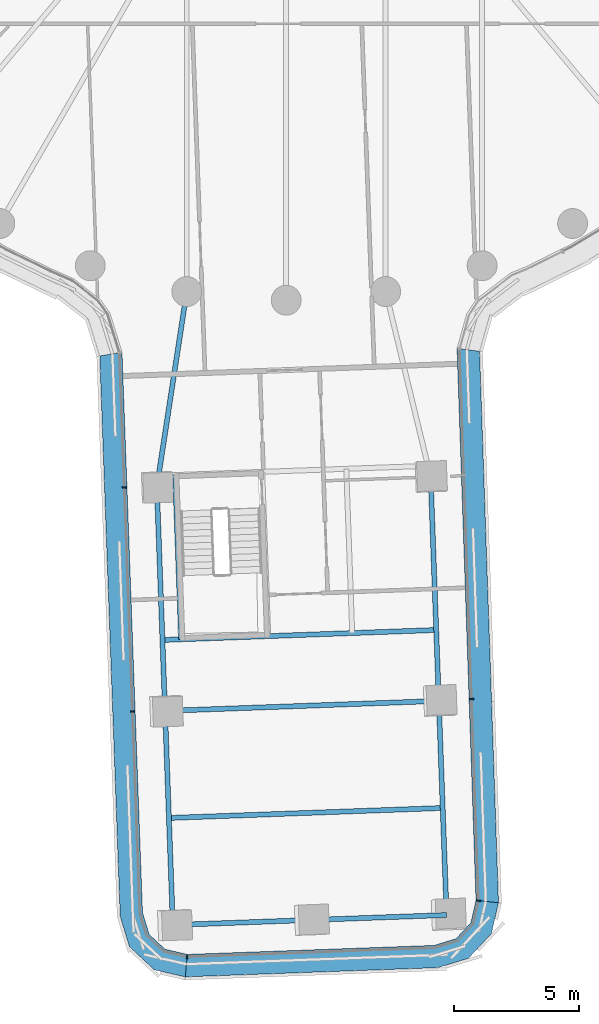
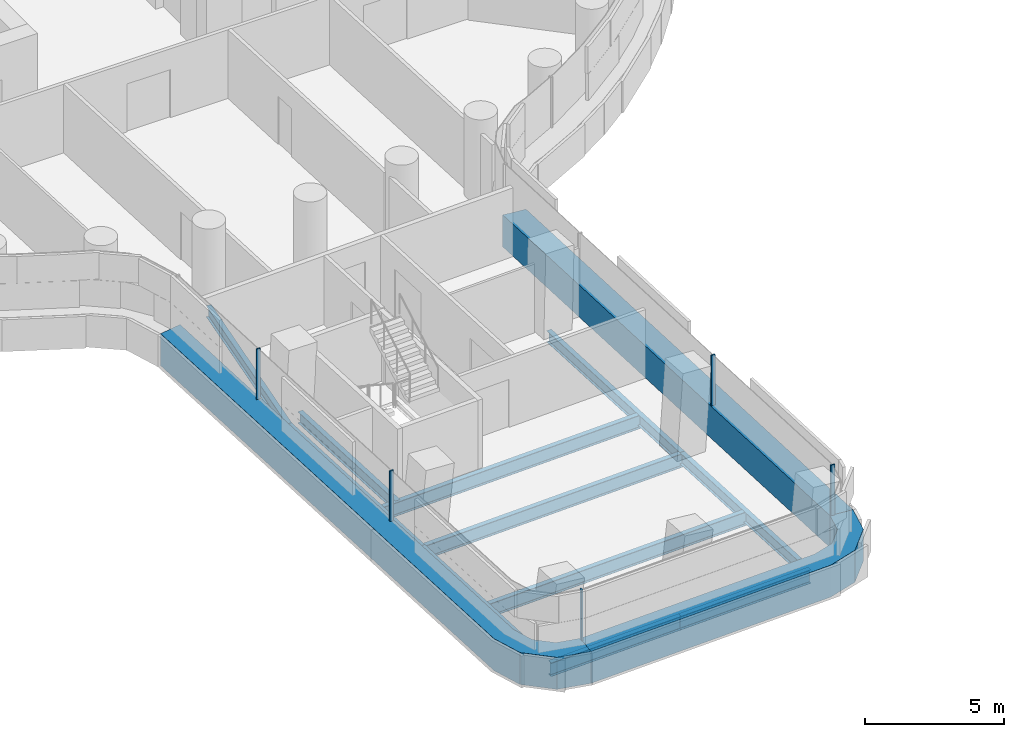
# One storey, part 2 of 31: 11 beams, 8 members, 3 elements without a shape of their own.
"""IFC4 building model written with IfcOpenShell, lengths in metres."""

from ifc_helpers import new_model, si_unit, direction, frame, origin, origin_2d, place, context, subcontext, project, spatial, polyline, rectangle, i_section, outline, extrude, material, layer, layer_set, material_profile, profile_set, type_object, element, aggregate, save


model = new_model("IFC4")

# Units and contexts
model_context = context("Model", 3, precision=1e-05, world=origin(), true_north=direction((0.0, 1.0)))
body_context = subcontext(model_context, "Body", "Model", "MODEL_VIEW")
ifc_project = project(units=[si_unit("LENGTHUNIT", "METRE"), si_unit("AREAUNIT", "SQUARE_METRE"), si_unit("VOLUMEUNIT", "CUBIC_METRE"), si_unit("PLANEANGLEUNIT", "RADIAN"), si_unit("MASSUNIT", "GRAM", prefix="KILO")], contexts=[model_context])

# Site, building, storey
site_placement = place(None, origin())
site = spatial("IfcSite", under=ifc_project, at=site_placement, CompositionType="ELEMENT")
building_placement = place(site_placement, origin())
building = spatial("IfcBuilding", under=site, at=building_placement, Name="Tamarind Cross Interchange Tower", CompositionType="ELEMENT")
storey_placement = place(building_placement, frame((0.0, 0.0, 41.5)))
storey = spatial("IfcBuildingStorey", under=building, at=storey_placement, Name="L08", CompositionType="ELEMENT", Elevation=41.5)

# Beams
ifc_material_1 = material(Name="Steel Q355B", Category="steel")
ifc_material_profile_1 = material_profile(ifc_material_1, i_section(OverallWidth=0.198974609375, OverallDepth=0.49609375, WebThickness=0.009033203125, FlangeThickness=0.013916015625, FilletRadius=0.012939453125, at=origin_2d()), Name="HN 496x199x9x14")
ifc_profile_set_1 = profile_set([ifc_material_profile_1], Name="Steel Q355B")
beam_type_1 = type_object("IfcBeamType", Name="Composite beam HN 496x199x9x14 Q355B", PredefinedType="BEAM", material=ifc_profile_set_1)
beam_1_placement = place(storey_placement, frame((-4.552001953125, -48.08544921875, -0.387939453125), z_axis=(-0.036441655858, 0.999335782267, 0.0), x_axis=(-0.999335782267, -0.036441655858, 0.0)))
element("IfcBeam", 1, at=beam_1_placement, inside=storey, type_object=beam_type_1, Name="Beam S-edgeem5", PredefinedType="BEAM", context=body_context, shape_type="SweptSolid", body=[
    extrude(i_section(OverallWidth=0.198974609375, OverallDepth=0.49609375, WebThickness=0.009033203125, FlangeThickness=0.013916015625, FilletRadius=0.012939453125, at=origin_2d()), origin(), (0.0, 0.0, 1.0), 8.60205078125),
])
beam_2_placement = place(storey_placement, frame((-4.865478515625, -39.489013671875, -0.387939453125), z_axis=(-0.036458819457, 0.999335156233, 0.0), x_axis=(-0.999335156233, -0.036458819457, 0.0)))
element("IfcBeam", 2, at=beam_2_placement, inside=storey, type_object=beam_type_1, Name="Beam S-edgeem6", PredefinedType="BEAM", context=body_context, shape_type="SweptSolid", body=[
    extrude(i_section(OverallWidth=0.198974609375, OverallDepth=0.49609375, WebThickness=0.009033203125, FlangeThickness=0.013916015625, FilletRadius=0.012939453125, at=origin_2d()), origin(), (0.0, 0.0, 1.0), 9.0),
])
beam_3_placement = place(storey_placement, frame((6.440673828125, -47.684326171875, -0.387939453125), z_axis=(-0.036441655858, 0.999335782267, 0.0), x_axis=(-0.999335782267, -0.036441655858, 0.0)))
element("IfcBeam", 3, at=beam_3_placement, inside=storey, type_object=beam_type_1, Name="Beam S-edgeep2", PredefinedType="BEAM", context=body_context, shape_type="SweptSolid", body=[
    extrude(i_section(OverallWidth=0.198974609375, OverallDepth=0.49609375, WebThickness=0.009033203125, FlangeThickness=0.013916015625, FilletRadius=0.012939453125, at=origin_2d()), origin(), (0.0, 0.0, 1.0), 8.60205078125),
])
beam_4_placement = place(storey_placement, frame((6.127197265625, -39.087890625, -0.387939453125), z_axis=(-0.036458819457, 0.999335156233, 0.0), x_axis=(-0.999335156233, -0.036458819457, 0.0)))
element("IfcBeam", 4, at=beam_4_placement, inside=storey, type_object=beam_type_1, Name="Beam S-edgeep3", PredefinedType="BEAM", context=body_context, shape_type="SweptSolid", body=[
    extrude(i_section(OverallWidth=0.198974609375, OverallDepth=0.49609375, WebThickness=0.009033203125, FlangeThickness=0.013916015625, FilletRadius=0.012939453125, at=origin_2d()), origin(), (0.0, 0.0, 1.0), 9.0),
])
beam_5_placement = place(storey_placement, frame((-5.193603515625, -30.4951171875, -0.387939453125), z_axis=(0.151178635621, 0.988506459327, 0.0), x_axis=(-0.988506459327, 0.151178635621, 0.0)))
element("IfcBeam", 5, at=beam_5_placement, inside=storey, type_object=beam_type_1, Name="Beam S-linkem", PredefinedType="BEAM", context=body_context, shape_type="SweptSolid", body=[
    extrude(i_section(OverallWidth=0.198974609375, OverallDepth=0.49609375, WebThickness=0.009033203125, FlangeThickness=0.013916015625, FilletRadius=0.012939453125, at=origin_2d()), origin(), (0.0, 0.0, 1.0), 7.935791015625),
])
beam_6_placement = place(storey_placement, frame((-4.460693359375, -30.01806640625, -0.387939453125), z_axis=(0.03647395593, -0.999334603893, 0.0), x_axis=(0.999334603893, 0.03647395593, 0.0)))
element("IfcBeam", 6, at=beam_6_placement, inside=storey, type_object=beam_type_1, Name="Beam S-tr0", PredefinedType="BEAM", context=body_context, shape_type="SweptSolid", body=[
    extrude(i_section(OverallWidth=0.198974609375, OverallDepth=0.49609375, WebThickness=0.009033203125, FlangeThickness=0.013916015625, FilletRadius=0.012939453125, at=origin_2d()), origin(), (0.0, 0.0, 1.0), 6.599853515625),
])
ifc_material_profile_2 = material_profile(ifc_material_1, i_section(OverallWidth=0.199951171875, OverallDepth=0.60009765625, WebThickness=0.010986328125, FlangeThickness=0.01708984375, FilletRadius=0.012939453125, at=origin_2d()), Name="HN 600x200x11x17")
ifc_profile_set_2 = profile_set([ifc_material_profile_2], Name="Steel Q355B")
beam_type_2 = type_object("IfcBeamType", Name="Composite beam HN 600x200x11x17 Q355B", PredefinedType="BEAM", material=ifc_profile_set_2)
for number, where, z_axis, x_axis, name in (
    (7, (-4.552001953125, -48.08544921875, -0.43994140625), (0.999335711609, 0.036443593445, 0.0), (-0.036443593445, 0.999335711609, 0.0), "Beam S-tip0"),
    (8, (0.9443359375, -47.885009765625, -0.43994140625), (0.999334093998, 0.036487923656, 0.0), (-0.036487923656, 0.999334093998, 0.0), "Beam S-tip1"),
):
    element("IfcBeam", number, at=place(storey_placement, frame(where, z_axis=z_axis, x_axis=x_axis)), inside=storey, type_object=beam_type_2, Name=name, PredefinedType="BEAM", context=body_context, shape_type="SweptSolid", body=[
        extrude(i_section(OverallWidth=0.199951171875, OverallDepth=0.60009765625, WebThickness=0.010986328125, FlangeThickness=0.01708984375, FilletRadius=0.012939453125, at=origin_2d()), origin(), (0.0, 0.0, 1.0), 5.5),
    ])
for number, where, z_axis, x_axis, name in (
    (9, (-4.969482421875, -36.640869140625, -0.43994140625), (0.999334903049, 0.036465758577, 0.0), (-0.036465758577, 0.999334903049, 0.0), "Beam S-x364"),
    (10, (-4.865478515625, -39.489013671875, -0.43994140625), (0.999334903049, 0.036465758577, 0.0), (-0.036465758577, 0.999334903049, 0.0), "Beam S-x393"),
    (11, (-4.708740234375, -43.787353515625, -0.43994140625), (0.999334903049, 0.036465758577, 0.0), (-0.036465758577, 0.999334903049, 0.0), "Beam S-x436"),
):
    element("IfcBeam", number, at=place(storey_placement, frame(where, z_axis=z_axis, x_axis=x_axis)), inside=storey, type_object=beam_type_2, Name=name, PredefinedType="BEAM", context=body_context, shape_type="SweptSolid", body=[
        extrude(i_section(OverallWidth=0.199951171875, OverallDepth=0.60009765625, WebThickness=0.010986328125, FlangeThickness=0.01708984375, FilletRadius=0.012939453125, at=origin_2d()), origin(), (0.0, 0.0, 1.0), 11.0),
    ])

# Curtain wall, member
ifc_material_2 = material(Name="Aluminium 6063-T6", Category="aluminium")
ifc_layer = layer(ifc_material_2, 0.159912109375)
ifc_layer_set = layer_set([ifc_layer], Name="Aluminium 6063-T6")
curtain_wall_type = type_object("IfcCurtainWallType", Name="Office curtain wall, 9.0 m bays", PredefinedType="NOTDEFINED", material=ifc_layer_set)
curtain_wall_1_placement = place(storey_placement, origin())
curtain_wall_1 = element("IfcCurtainWall", 12, at=curtain_wall_1_placement, inside=storey, type_object=curtain_wall_type, Name="CWS-L08-03", PredefinedType="NOTDEFINED")
ifc_material_3 = material(Name="Aluminium and insulated spandrel panel", Category="aluminium")
member_type_1 = type_object("IfcMemberType", Name="Floor-edge blade transom", PredefinedType="USERDEFINED", material=ifc_material_3)
member_1_placement = place(storey_placement, origin())
member_1 = element("IfcMember", 13, at=member_1_placement, type_object=member_type_1, Name="CWT-L08-03", ObjectType="TRANSOM", PredefinedType="USERDEFINED", context=body_context, shape_type="SweptSolid", body=[
    extrude(outline(polyline([(-6.591796875, -25.08544921875), (-5.770751953125, -47.590087890625), (-5.501708984375, -48.465087890625), (-4.861328125, -49.060546875), (-3.968994140625, -49.264892578125), (-4.0546875, -50.168701171875), (-5.29736328125, -49.8837890625), (-6.291259765625, -48.9599609375), (-6.665771484375, -47.7412109375), (-7.48681640625, -25.23779296875), (-6.591796875, -25.08544921875)])), origin(), (0.0, 0.0, 1.0), 1.39990234375),
])

curtain_wall_2_placement = place(storey_placement, origin())
curtain_wall_2 = element("IfcCurtainWall", 14, at=curtain_wall_2_placement, inside=storey, type_object=curtain_wall_type, Name="CWS-L08-04", PredefinedType="NOTDEFINED")
member_2_placement = place(storey_placement, origin())
member_2 = element("IfcMember", 15, at=member_2_placement, type_object=member_type_1, Name="CWT-L08-04", ObjectType="TRANSOM", PredefinedType="USERDEFINED", context=body_context, shape_type="SweptSolid", body=[
    extrude(outline(polyline([(-3.968994140625, -49.264892578125), (5.9453125, -48.9033203125), (6.8203125, -48.63427734375), (7.415771484375, -47.99365234375), (7.620361328125, -47.10107421875), (8.52392578125, -47.187744140625), (8.2392578125, -48.429931640625), (7.3154296875, -49.423583984375), (6.0966796875, -49.79833984375), (-4.0546875, -50.168701171875), (-3.968994140625, -49.264892578125)])), origin(), (0.0, 0.0, 1.0), 1.39990234375),
])

curtain_wall_3_placement = place(storey_placement, origin())
curtain_wall_3 = element("IfcCurtainWall", 16, at=curtain_wall_3_placement, inside=storey, type_object=curtain_wall_type, Name="CWS-L08-05", PredefinedType="NOTDEFINED")
member_3_placement = place(storey_placement, origin())
member_3 = element("IfcMember", 17, at=member_3_placement, type_object=member_type_1, Name="CWT-L08-05", ObjectType="TRANSOM", PredefinedType="USERDEFINED", context=body_context, shape_type="SweptSolid", body=[
    extrude(outline(polyline([(7.620361328125, -47.10107421875), (6.85888671875, -24.9375), (7.762939453125, -25.045654296875), (8.52392578125, -47.187744140625), (7.620361328125, -47.10107421875)])), origin(), (0.0, 0.0, 1.0), 1.39990234375),
])

# Member
ifc_material_profile_3 = material_profile(ifc_material_2, rectangle(XDim=0.06005859375, YDim=0.159912109375, at=origin_2d()), Name="Mullion CW1")
ifc_profile_set_3 = profile_set([ifc_material_profile_3], Name="Aluminium 6063-T6")
member_type_2 = type_object("IfcMemberType", Name="Mullion CW1", PredefinedType="MULLION", material=ifc_profile_set_3)
member_4_placement = place(storey_placement, frame((-6.493896484375, -30.515869140625, 1.39990234375), z_axis=(0.0, 0.0, 1.0), x_axis=(0.036462315768, -0.999335028671, 0.0)))
member_4 = element("IfcMember", 18, at=member_4_placement, type_object=member_type_2, Name="CWM-L08-03-01", PredefinedType="MULLION", context=body_context, shape_type="SweptSolid", body=[
    extrude(rectangle(XDim=0.06005859375, YDim=0.159912109375, at=origin_2d()), origin(), (0.0, 0.0, 1.0), 2.210205078125),
])

member_5_placement = place(storey_placement, frame((-6.16552734375, -39.510009765625, 1.39990234375), z_axis=(0.0, 0.0, 1.0), x_axis=(0.036462315768, -0.999335028671, 0.0)))
member_5 = element("IfcMember", 19, at=member_5_placement, type_object=member_type_2, Name="CWM-L08-03-02", PredefinedType="MULLION", context=body_context, shape_type="SweptSolid", body=[
    extrude(rectangle(XDim=0.06005859375, YDim=0.159912109375, at=origin_2d()), origin(), (0.0, 0.0, 1.0), 2.210205078125),
])

aggregate(curtain_wall_1, [member_4, member_5, member_1])

member_6_placement = place(storey_placement, frame((-3.978515625, -49.365478515625, 1.39990234375), z_axis=(0.0, 0.0, 1.0), x_axis=(0.995544866203, -0.094289020443, 0.0)))
member_6 = element("IfcMember", 20, at=member_6_placement, type_object=member_type_2, Name="CWM-L08-04-00", PredefinedType="MULLION", context=body_context, shape_type="SweptSolid", body=[
    extrude(rectangle(XDim=0.06005859375, YDim=0.159912109375, at=origin_2d()), origin(), (0.0, 0.0, 1.0), 2.210205078125),
])

aggregate(curtain_wall_2, [member_6, member_2])

member_7_placement = place(storey_placement, frame((7.720703125, -47.11083984375, 1.39990234375), z_axis=(0.0, 0.0, 1.0), x_axis=(0.095344723058, 0.995444314759, 0.0)))
member_7 = element("IfcMember", 21, at=member_7_placement, type_object=member_type_2, Name="CWM-L08-05-00", PredefinedType="MULLION", context=body_context, shape_type="SweptSolid", body=[
    extrude(rectangle(XDim=0.06005859375, YDim=0.159912109375, at=origin_2d()), origin(), (0.0, 0.0, 1.0), 2.210205078125),
])

member_8_placement = place(storey_placement, frame((7.4423828125, -39.01171875, 1.39990234375), z_axis=(0.0, 0.0, 1.0), x_axis=(-0.034342684894, 0.999410116016, 0.0)))
member_8 = element("IfcMember", 22, at=member_8_placement, type_object=member_type_2, Name="CWM-L08-05-01", PredefinedType="MULLION", context=body_context, shape_type="SweptSolid", body=[
    extrude(rectangle(XDim=0.06005859375, YDim=0.159912109375, at=origin_2d()), origin(), (0.0, 0.0, 1.0), 2.210205078125),
])

aggregate(curtain_wall_3, [member_7, member_8, member_3])

save(model, "model.ifc")
